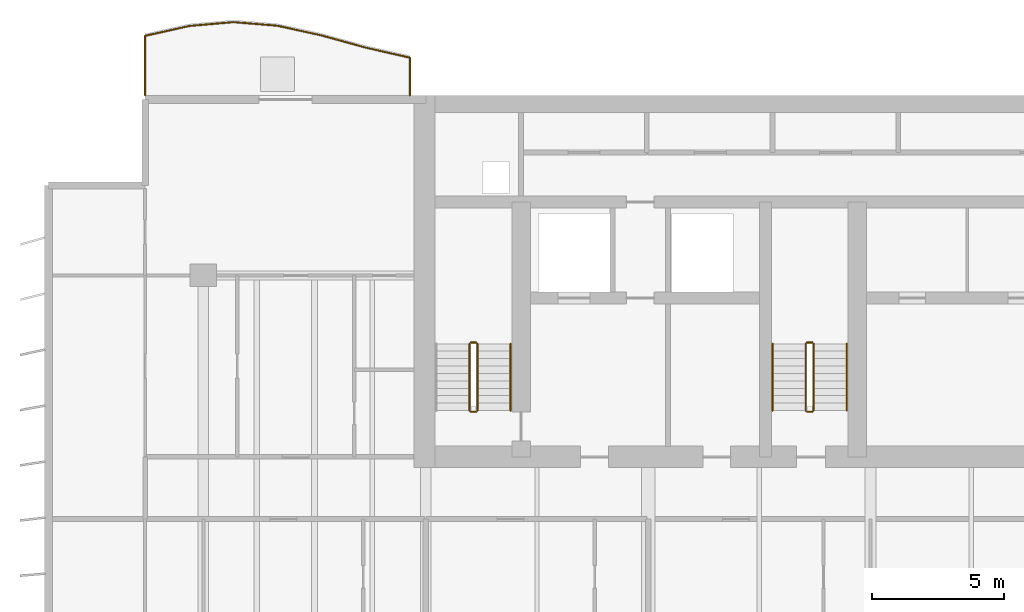
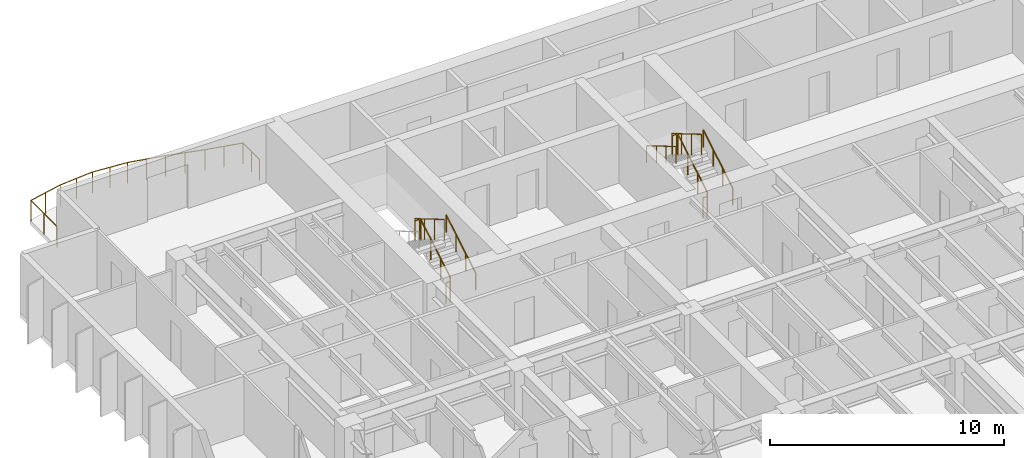
# One storey, part 15 of 17: 12 railings.
"""IFC4 building model written with IfcOpenShell, lengths in metres."""

from ifc_helpers import new_model, si_unit, direction, frame, origin, origin_2d, place, context, subcontext, project, spatial, circle, extrude, material, type_object, element, save


model = new_model("IFC4")

# Units and contexts
model_context = context("Model", 3, precision=1e-05, world=origin(), true_north=direction((0.0, 1.0)))
body_context = subcontext(model_context, "Body", "Model", "MODEL_VIEW")
ifc_project = project(units=[si_unit("LENGTHUNIT", "METRE"), si_unit("AREAUNIT", "SQUARE_METRE"), si_unit("VOLUMEUNIT", "CUBIC_METRE"), si_unit("PLANEANGLEUNIT", "RADIAN"), si_unit("MASSUNIT", "GRAM", prefix="KILO")], contexts=[model_context])

# Site, building, storey
site_placement = place(None, origin())
site = spatial("IfcSite", under=ifc_project, at=site_placement, CompositionType="ELEMENT")
building_placement = place(site_placement, origin())
building = spatial("IfcBuilding", under=site, at=building_placement, Name="Caelmar Bay Residences", CompositionType="ELEMENT")
storey_placement = place(building_placement, frame((0.0, 0.0, 109.199951171875)))
storey = spatial("IfcBuildingStorey", under=building, at=storey_placement, Name="L29", CompositionType="ELEMENT", Elevation=109.199951171875)

# Railings
ifc_material_1 = material(Name="Anodised bronze handrail with laminated hurricane glass infill", Category="glass")
railing_type_1 = type_object("IfcRailingType", Name="RL-BAL-1100", PredefinedType="BALUSTRADE", material=ifc_material_1)
railing_1_placement = place(storey_placement, frame((17.699951171875, 50.60009765625, 0.0)))
element("IfcRailing", 1, at=railing_1_placement, inside=storey, type_object=railing_type_1, Name="L29 north_west Balcony Balustrade", PredefinedType="BALUSTRADE", context=body_context, shape_type="SweptSolid", body=[
    extrude(circle(Radius=0.02392578125, at=origin_2d()), frame((0.0, 0.0, 1.076171875), z_axis=(0.0, 1.0, 0.0), x_axis=(-1.0, 0.0, 0.0)), (0.0, 0.0, 1.0), 1.426513671875),
    extrude(circle(Radius=0.02392578125, at=origin_2d()), frame((0.0, 1.426513671875, 1.076171875), z_axis=(-0.97505844271, 0.22194826717, 0.0), x_axis=(-0.22194826717, -0.97505844271, 0.0)), (0.0, 0.0, 1.0), 1.70947265625),
    extrude(circle(Radius=0.02392578125, at=origin_2d()), frame((-1.666748046875, 1.805908203125, 1.076171875), z_axis=(-0.963957656343, 0.266055702395, 0.0), x_axis=(-0.266055702395, -0.963957656343, 0.0)), (0.0, 0.0, 1.0), 1.728759765625),
    extrude(circle(Radius=0.02392578125, at=origin_2d()), frame((-3.333251953125, 2.265869140625, 1.076171875), z_axis=(-0.976552526697, 0.215279266541, 0.0), x_axis=(-0.215279266541, -0.976552526697, 0.0)), (0.0, 0.0, 1.0), 1.706787109375),
    extrude(circle(Radius=0.02392578125, at=origin_2d()), frame((-5.0, 2.63330078125, 1.076171875), z_axis=(-0.996652648034, 0.081752670704, 0.0), x_axis=(-0.081752670704, -0.996652648034, 0.0)), (0.0, 0.0, 1.0), 1.67236328125),
    extrude(circle(Radius=0.02392578125, at=origin_2d()), frame((-6.666748046875, 2.77001953125, 1.076171875), z_axis=(-0.996209858484, -0.086982284743, 0.0), x_axis=(0.086982284743, -0.996209858484, 0.0)), (0.0, 0.0, 1.0), 1.6728515625),
    extrude(circle(Radius=0.02392578125, at=origin_2d()), frame((-8.333251953125, 2.62451171875, 1.076171875), z_axis=(-0.975886786745, -0.218277299452, 0.0), x_axis=(0.218277299452, -0.975886786745, 0.0)), (0.0, 0.0, 1.0), 1.7080078125),
    extrude(circle(Radius=0.02392578125, at=origin_2d()), frame((-10.0, 2.251708984375, 1.076171875), z_axis=(0.0, -1.0, 0.0), x_axis=(1.0, 0.0, 0.0)), (0.0, 0.0, 1.0), 2.251708984375),
    extrude(circle(Radius=0.02099609375, at=origin_2d()), origin(), (0.0, 0.0, 1.0), 1.052001953125),
    extrude(circle(Radius=0.02099609375, at=origin_2d()), frame((0.0, 0.71337890625, 0.0)), (0.0, 0.0, 1.0), 1.052001953125),
    extrude(circle(Radius=0.02099609375, at=origin_2d()), frame((0.0, 1.426513671875, 0.0)), (0.0, 0.0, 1.0), 1.052001953125),
    extrude(circle(Radius=0.02099609375, at=origin_2d()), frame((-0.83349609375, 1.6162109375, 0.0)), (0.0, 0.0, 1.0), 1.052001953125),
    extrude(circle(Radius=0.02099609375, at=origin_2d()), frame((-1.666748046875, 1.805908203125, 0.0)), (0.0, 0.0, 1.0), 1.052001953125),
    extrude(circle(Radius=0.02099609375, at=origin_2d()), frame((-2.5, 2.035888671875, 0.0)), (0.0, 0.0, 1.0), 1.052001953125),
    extrude(circle(Radius=0.02099609375, at=origin_2d()), frame((-3.333251953125, 2.265869140625, 0.0)), (0.0, 0.0, 1.0), 1.052001953125),
    extrude(circle(Radius=0.02099609375, at=origin_2d()), frame((-4.16650390625, 2.44970703125, 0.0)), (0.0, 0.0, 1.0), 1.052001953125),
    extrude(circle(Radius=0.02099609375, at=origin_2d()), frame((-5.0, 2.63330078125, 0.0)), (0.0, 0.0, 1.0), 1.052001953125),
    extrude(circle(Radius=0.02099609375, at=origin_2d()), frame((-5.83349609375, 2.70166015625, 0.0)), (0.0, 0.0, 1.0), 1.052001953125),
    extrude(circle(Radius=0.02099609375, at=origin_2d()), frame((-6.666748046875, 2.77001953125, 0.0)), (0.0, 0.0, 1.0), 1.052001953125),
    extrude(circle(Radius=0.02099609375, at=origin_2d()), frame((-7.5, 2.697265625, 0.0)), (0.0, 0.0, 1.0), 1.052001953125),
    extrude(circle(Radius=0.02099609375, at=origin_2d()), frame((-8.333251953125, 2.62451171875, 0.0)), (0.0, 0.0, 1.0), 1.052001953125),
    extrude(circle(Radius=0.02099609375, at=origin_2d()), frame((-9.16650390625, 2.43798828125, 0.0)), (0.0, 0.0, 1.0), 1.052001953125),
    extrude(circle(Radius=0.02099609375, at=origin_2d()), frame((-10.0, 2.251708984375, 0.0)), (0.0, 0.0, 1.0), 1.052001953125),
    extrude(circle(Radius=0.02099609375, at=origin_2d()), frame((-10.0, 1.1259765625, 0.0)), (0.0, 0.0, 1.0), 1.052001953125),
    extrude(circle(Radius=0.02099609375, at=origin_2d()), frame((-10.0, 0.0, 0.0)), (0.0, 0.0, 1.0), 1.052001953125),
])
ifc_material_2 = material(Name="Painted galvanized steel stair guard 1100 mm", Category="steel")
railing_type_2 = type_object("IfcRailingType", Name="RL-GRD-1100", PredefinedType="GUARDRAIL", material=ifc_material_2)
railing_2_placement = place(storey_placement, frame((20.25, 38.699951171875, 0.1650390625)))
element("IfcRailing", 2, at=railing_2_placement, inside=storey, type_object=railing_type_2, Name="L29 ST1 stair guard 1", PredefinedType="GUARDRAIL", context=body_context, shape_type="SweptSolid", body=[
    extrude(circle(Radius=0.02392578125, at=origin_2d()), frame((0.0, 0.0, 1.076171875), z_axis=(0.0, 0.86152411907, 0.507716645641), x_axis=(-1.0, 0.0, 0.0)), (0.0, 0.0, 1.0), 2.925048828125),
    extrude(circle(Radius=0.02099609375, at=origin_2d()), origin(), (0.0, 0.0, 1.0), 1.052001953125),
    extrude(circle(Radius=0.02099609375, at=origin_2d()), frame((0.0, 0.840087890625, 0.4951171875)), (0.0, 0.0, 1.0), 1.052001953125),
    extrude(circle(Radius=0.02099609375, at=origin_2d()), frame((0.0, 1.679931640625, 0.989990234375)), (0.0, 0.0, 1.0), 1.052001953125),
    extrude(circle(Radius=0.02099609375, at=origin_2d()), frame((0.0, 2.52001953125, 1.485107421875)), (0.0, 0.0, 1.0), 1.052001953125),
])
railing_3_placement = place(storey_placement, frame((20.199951171875, 41.27001953125, 1.650146484375)))
element("IfcRailing", 3, at=railing_3_placement, inside=storey, type_object=railing_type_2, Name="L29 ST1 stair guard 2", PredefinedType="GUARDRAIL", context=body_context, shape_type="SweptSolid", body=[
    extrude(circle(Radius=0.02392578125, at=origin_2d()), frame((0.0, 0.0, 1.076171875), z_axis=(-1.0, 0.0, 0.0), x_axis=(0.0, -1.0, 0.0)), (0.0, 0.0, 1.0), 0.199951171875),
    extrude(circle(Radius=0.02099609375, at=origin_2d()), origin(), (0.0, 0.0, 1.0), 1.052001953125),
    extrude(circle(Radius=0.02099609375, at=origin_2d()), frame((-0.199951171875, 0.0, 0.0)), (0.0, 0.0, 1.0), 1.052001953125),
])
railing_4_placement = place(storey_placement, frame((19.949951171875, 41.219970703125, 1.81494140625)))
element("IfcRailing", 4, at=railing_4_placement, inside=storey, type_object=railing_type_2, Name="L29 ST1 stair guard 3", PredefinedType="GUARDRAIL", context=body_context, shape_type="SweptSolid", body=[
    extrude(circle(Radius=0.02392578125, at=origin_2d()), frame((0.0, 0.0, 1.076171875), z_axis=(0.0, -0.86152411907, 0.507716645641), x_axis=(1.0, 0.0, 0.0)), (0.0, 0.0, 1.0), 2.925048828125),
    extrude(circle(Radius=0.02099609375, at=origin_2d()), origin(), (0.0, 0.0, 1.0), 1.052001953125),
    extrude(circle(Radius=0.02099609375, at=origin_2d()), frame((0.0, -0.840087890625, 0.4951171875)), (0.0, 0.0, 1.0), 1.052001953125),
    extrude(circle(Radius=0.02099609375, at=origin_2d()), frame((0.0, -1.679931640625, 0.989990234375)), (0.0, 0.0, 1.0), 1.052001953125),
    extrude(circle(Radius=0.02099609375, at=origin_2d()), frame((0.0, -2.52001953125, 1.485107421875)), (0.0, 0.0, 1.0), 1.052001953125),
])
railing_5_placement = place(storey_placement, frame((20.199951171875, 38.64990234375, 0.0)))
element("IfcRailing", 5, at=railing_5_placement, inside=storey, type_object=railing_type_2, Name="L29 ST1 stair guard 4", PredefinedType="GUARDRAIL", context=body_context, shape_type="SweptSolid", body=[
    extrude(circle(Radius=0.02392578125, at=origin_2d()), frame((0.0, 0.0, 1.076171875), z_axis=(-1.0, 0.0, 0.0), x_axis=(0.0, -1.0, 0.0)), (0.0, 0.0, 1.0), 0.199951171875),
    extrude(circle(Radius=0.02099609375, at=origin_2d()), origin(), (0.0, 0.0, 1.0), 1.052001953125),
    extrude(circle(Radius=0.02099609375, at=origin_2d()), frame((-0.199951171875, 0.0, 0.0)), (0.0, 0.0, 1.0), 1.052001953125),
])
railing_6_placement = place(storey_placement, frame((32.949951171875, 38.699951171875, 0.1650390625)))
element("IfcRailing", 6, at=railing_6_placement, inside=storey, type_object=railing_type_2, Name="L29 ST3 stair guard 1", PredefinedType="GUARDRAIL", context=body_context, shape_type="SweptSolid", body=[
    extrude(circle(Radius=0.02392578125, at=origin_2d()), frame((0.0, 0.0, 1.076171875), z_axis=(0.0, 0.86152411907, 0.507716645641), x_axis=(-1.0, 0.0, 0.0)), (0.0, 0.0, 1.0), 2.925048828125),
    extrude(circle(Radius=0.02099609375, at=origin_2d()), origin(), (0.0, 0.0, 1.0), 1.052001953125),
    extrude(circle(Radius=0.02099609375, at=origin_2d()), frame((0.0, 0.840087890625, 0.4951171875)), (0.0, 0.0, 1.0), 1.052001953125),
    extrude(circle(Radius=0.02099609375, at=origin_2d()), frame((0.0, 1.679931640625, 0.989990234375)), (0.0, 0.0, 1.0), 1.052001953125),
    extrude(circle(Radius=0.02099609375, at=origin_2d()), frame((0.0, 2.52001953125, 1.485107421875)), (0.0, 0.0, 1.0), 1.052001953125),
])
railing_7_placement = place(storey_placement, frame((32.89990234375, 41.27001953125, 1.650146484375)))
element("IfcRailing", 7, at=railing_7_placement, inside=storey, type_object=railing_type_2, Name="L29 ST3 stair guard 2", PredefinedType="GUARDRAIL", context=body_context, shape_type="SweptSolid", body=[
    extrude(circle(Radius=0.02392578125, at=origin_2d()), frame((0.0, 0.0, 1.076171875), z_axis=(-1.0, 0.0, 0.0), x_axis=(0.0, -1.0, 0.0)), (0.0, 0.0, 1.0), 0.199951171875),
    extrude(circle(Radius=0.02099609375, at=origin_2d()), origin(), (0.0, 0.0, 1.0), 1.052001953125),
    extrude(circle(Radius=0.02099609375, at=origin_2d()), frame((-0.199951171875, 0.0, 0.0)), (0.0, 0.0, 1.0), 1.052001953125),
])
railing_8_placement = place(storey_placement, frame((32.64990234375, 41.219970703125, 1.81494140625)))
element("IfcRailing", 8, at=railing_8_placement, inside=storey, type_object=railing_type_2, Name="L29 ST3 stair guard 3", PredefinedType="GUARDRAIL", context=body_context, shape_type="SweptSolid", body=[
    extrude(circle(Radius=0.02392578125, at=origin_2d()), frame((0.0, 0.0, 1.076171875), z_axis=(0.0, -0.86152411907, 0.507716645641), x_axis=(1.0, 0.0, 0.0)), (0.0, 0.0, 1.0), 2.925048828125),
    extrude(circle(Radius=0.02099609375, at=origin_2d()), origin(), (0.0, 0.0, 1.0), 1.052001953125),
    extrude(circle(Radius=0.02099609375, at=origin_2d()), frame((0.0, -0.840087890625, 0.4951171875)), (0.0, 0.0, 1.0), 1.052001953125),
    extrude(circle(Radius=0.02099609375, at=origin_2d()), frame((0.0, -1.679931640625, 0.989990234375)), (0.0, 0.0, 1.0), 1.052001953125),
    extrude(circle(Radius=0.02099609375, at=origin_2d()), frame((0.0, -2.52001953125, 1.485107421875)), (0.0, 0.0, 1.0), 1.052001953125),
])
railing_9_placement = place(storey_placement, frame((32.89990234375, 38.64990234375, 0.0)))
element("IfcRailing", 9, at=railing_9_placement, inside=storey, type_object=railing_type_2, Name="L29 ST3 stair guard 4", PredefinedType="GUARDRAIL", context=body_context, shape_type="SweptSolid", body=[
    extrude(circle(Radius=0.02392578125, at=origin_2d()), frame((0.0, 0.0, 1.076171875), z_axis=(-1.0, 0.0, 0.0), x_axis=(0.0, -1.0, 0.0)), (0.0, 0.0, 1.0), 0.199951171875),
    extrude(circle(Radius=0.02099609375, at=origin_2d()), origin(), (0.0, 0.0, 1.0), 1.052001953125),
    extrude(circle(Radius=0.02099609375, at=origin_2d()), frame((-0.199951171875, 0.0, 0.0)), (0.0, 0.0, 1.0), 1.052001953125),
])
ifc_material_3 = material(Name="Brushed bronze stainless-steel tubular handrail 900 mm", Category="steel")
railing_type_3 = type_object("IfcRailingType", Name="RL-HND-900", PredefinedType="HANDRAIL", material=ifc_material_3)
for number, where, name in (
    (10, (21.5, 38.699951171875, 0.1650390625), "L29 ST1 stair handrail 1"),
    (11, (34.199951171875, 38.699951171875, 0.1650390625), "L29 ST3 stair handrail 1"),
):
    element("IfcRailing", number, at=place(storey_placement, frame(where)), inside=storey, type_object=railing_type_3, Name=name, PredefinedType="HANDRAIL", context=body_context, shape_type="SweptSolid", body=[
        extrude(circle(Radius=0.02392578125, at=origin_2d()), frame((0.0, 0.0, 0.8759765625), z_axis=(0.0, 0.86152411907, 0.507716645641), x_axis=(-1.0, 0.0, 0.0)), (0.0, 0.0, 1.0), 2.925048828125),
        extrude(circle(Radius=0.02099609375, at=origin_2d()), origin(), (0.0, 0.0, 1.0), 0.851806640625),
        extrude(circle(Radius=0.02099609375, at=origin_2d()), frame((0.0, 0.840087890625, 0.4951171875)), (0.0, 0.0, 1.0), 0.851806640625),
        extrude(circle(Radius=0.02099609375, at=origin_2d()), frame((0.0, 1.679931640625, 0.989990234375)), (0.0, 0.0, 1.0), 0.851806640625),
        extrude(circle(Radius=0.02099609375, at=origin_2d()), frame((0.0, 2.52001953125, 1.485107421875)), (0.0, 0.0, 1.0), 0.851806640625),
    ])
railing_10_placement = place(storey_placement, frame((31.39990234375, 41.219970703125, 1.81494140625)))
element("IfcRailing", 12, at=railing_10_placement, inside=storey, type_object=railing_type_3, Name="L29 ST3 stair handrail 2", PredefinedType="HANDRAIL", context=body_context, shape_type="SweptSolid", body=[
    extrude(circle(Radius=0.02392578125, at=origin_2d()), frame((0.0, 0.0, 0.8759765625), z_axis=(0.0, -0.86152411907, 0.507716645641), x_axis=(1.0, 0.0, 0.0)), (0.0, 0.0, 1.0), 2.925048828125),
    extrude(circle(Radius=0.02099609375, at=origin_2d()), origin(), (0.0, 0.0, 1.0), 0.851806640625),
    extrude(circle(Radius=0.02099609375, at=origin_2d()), frame((0.0, -0.840087890625, 0.4951171875)), (0.0, 0.0, 1.0), 0.851806640625),
    extrude(circle(Radius=0.02099609375, at=origin_2d()), frame((0.0, -1.679931640625, 0.989990234375)), (0.0, 0.0, 1.0), 0.851806640625),
    extrude(circle(Radius=0.02099609375, at=origin_2d()), frame((0.0, -2.52001953125, 1.485107421875)), (0.0, 0.0, 1.0), 0.851806640625),
])

save(model, "model.ifc")
